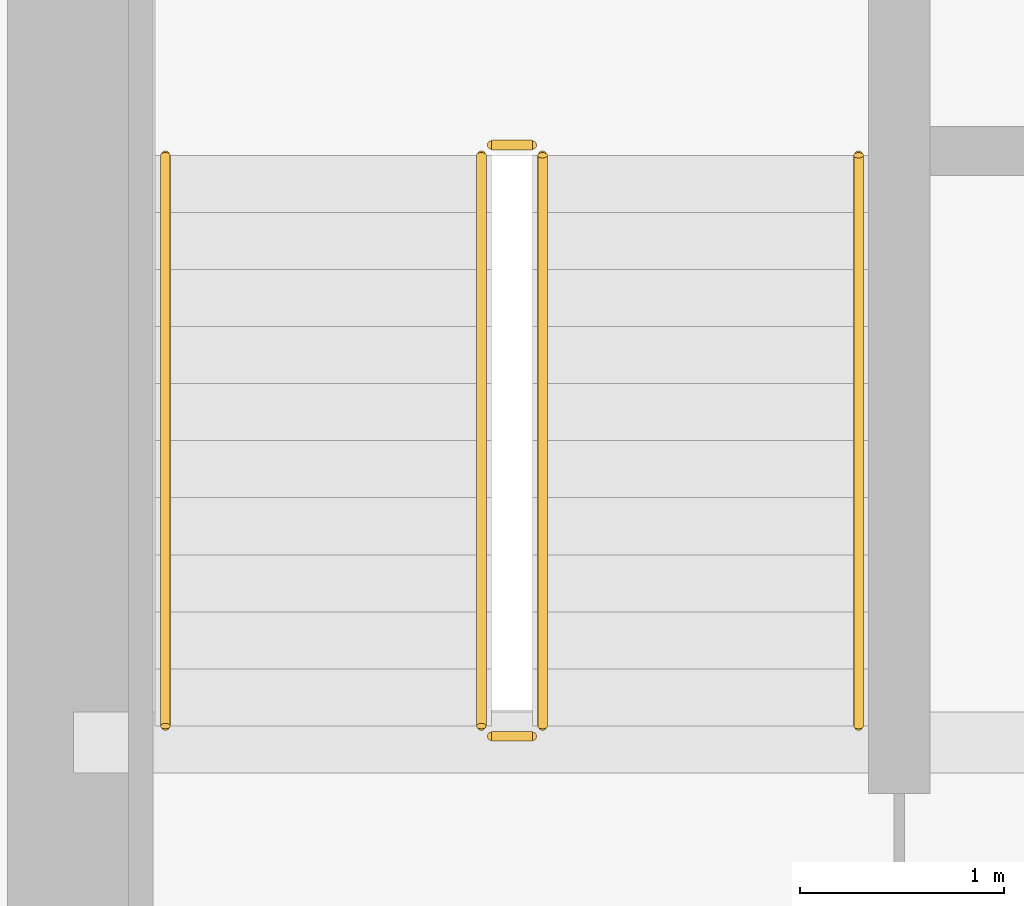
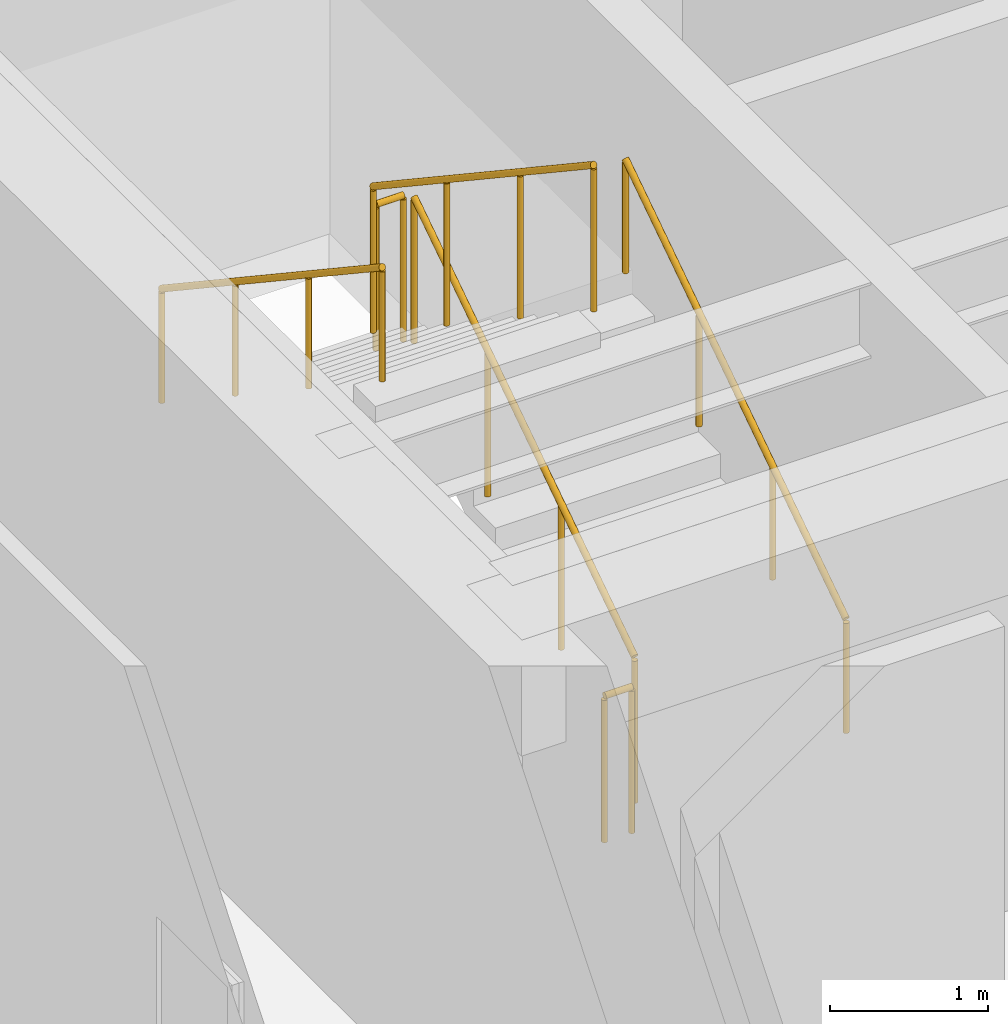
# One storey, part 29 of 30: 6 railings.
"""IFC4 building model written with IfcOpenShell, lengths in metres."""

import ifcopenshell
import ifcopenshell.guid

model = None  # the IFC model being written
_history = None  # IfcOwnerHistory: only IFC2X3 demands one
_inside = {}  # id of a spatial element -> (the spatial element, [elements in it])
_under = {}  # id of a project, library or spatial element -> (it, [spatial elements below it])
_declared = {}  # id of a project -> (the project, [libraries it declares])
_typed = {}  # id of a type object -> (the type object, [elements of that type])
_made_of = {}  # id of a material, layer set ... -> (it, [elements and type objects made of it])


def new_model(schema):
    """Start an empty IFC model of exactly this schema.

    Asked for "IFC4X3", IfcOpenShell would pick the latest addendum, in which some entities
    have other attributes; the version numbers below select the first issue.
    IFC2X3 requires an IfcOwnerHistory on every rooted entity: one is made here for all.
    """
    global model, _history
    if schema == "IFC4X3":
        model = ifcopenshell.file(schema_version=(4, 3, 0, 0))
    else:
        model = ifcopenshell.file(schema=schema)
    _inside.clear()
    _under.clear()
    _declared.clear()
    _typed.clear()
    _made_of.clear()
    _history = None
    if model.schema == "IFC2X3":
        org = make("IfcOrganization", Name="unknown")
        user = make(
            "IfcPersonAndOrganization",
            ThePerson=make("IfcPerson", FamilyName="unknown"),
            TheOrganization=org,
        )
        app = make(
            "IfcApplication",
            ApplicationDeveloper=org,
            Version="unknown",
            ApplicationFullName="unknown",
            ApplicationIdentifier="unknown",
        )
        _history = make(
            "IfcOwnerHistory",
            OwningUser=user,
            OwningApplication=app,
            ChangeAction="ADDED",
            CreationDate=0,
        )
    return model


def make(cls, **values):
    """One entity of the class cls with the attributes given. An attribute that is None is left unset."""
    return model.create_entity(
        cls, **{name: value for name, value in values.items() if value is not None}
    )


def rooted(cls, **values):
    """An entity with a GlobalId (a new one), such as an element, a storey or a relation."""
    return make(cls, GlobalId=ifcopenshell.guid.new(), OwnerHistory=_history, **values)


def si_unit(unit_type, name, prefix=None):
    """IfcSIUnit, for example si_unit("LENGTHUNIT", "METRE", prefix="MILLI")."""
    return make("IfcSIUnit", UnitType=unit_type, Prefix=prefix, Name=name)


def assignment(units):
    """IfcUnitAssignment: the units of a project."""
    return None if units is None else make("IfcUnitAssignment", Units=units)


def point(xyz):
    """IfcCartesianPoint."""
    return None if xyz is None else make("IfcCartesianPoint", Coordinates=xyz)


def direction(xyz):
    """IfcDirection."""
    return None if xyz is None else make("IfcDirection", DirectionRatios=xyz)


def frame(location, z_axis=None, x_axis=None):
    """IfcAxis2Placement3D, a coordinate frame: its origin and axes. An axis left out is left unset."""
    return make(
        "IfcAxis2Placement3D",
        Location=point(location),
        Axis=direction(z_axis),
        RefDirection=direction(x_axis),
    )


def frame_2d(location, x_axis=None):
    """IfcAxis2Placement2D, a coordinate frame in the plane: its origin and x axis."""
    return make(
        "IfcAxis2Placement2D", Location=point(location), RefDirection=direction(x_axis)
    )


def origin():
    """The frame at (0, 0, 0) with its axes left unset."""
    return frame((0.0, 0.0, 0.0))


def origin_2d():
    """The frame at (0, 0) in the plane with its x axis left unset."""
    return frame_2d((0.0, 0.0))


def place(relative_to, where):
    """IfcLocalPlacement: puts the frame where relative to a parent placement (None: the world)."""
    return make(
        "IfcLocalPlacement", PlacementRelTo=relative_to, RelativePlacement=where
    )


def context(
    kind, dimensions, precision=None, world=None, true_north=None, identifier=None
):
    """IfcGeometricRepresentationContext, for example the 3D "Model" context."""
    return make(
        "IfcGeometricRepresentationContext",
        ContextIdentifier=identifier,
        ContextType=kind,
        CoordinateSpaceDimension=dimensions,
        Precision=precision,
        WorldCoordinateSystem=world,
        TrueNorth=true_north,
    )


def subcontext(parent, identifier, kind, view, scale=None):
    """IfcGeometricRepresentationSubContext, for example "Body" below "Model"."""
    return make(
        "IfcGeometricRepresentationSubContext",
        ContextIdentifier=identifier,
        ContextType=kind,
        ParentContext=parent,
        TargetScale=scale,
        TargetView=view,
    )


def project(units=None, contexts=None):
    """IfcProject with its units and contexts."""
    return rooted(
        "IfcProject",
        Name="project",
        RepresentationContexts=contexts,
        UnitsInContext=assignment(units),
    )


def spatial(cls, under=None, at=None, **own):
    """A site, building, storey or space (cls), placed at a placement, below another one or the project."""
    s = rooted(cls, ObjectPlacement=at, **own)
    if under is not None:
        _under.setdefault(under.id(), (under, []))[1].append(s)
    return s


def profile(cls, at=None, kind="AREA", **sizes):
    """A parametric profile (cls). Its sizes go by their IFC names, for example OverallWidth=200.0."""
    return make(cls, ProfileType=kind, Position=at, **sizes)


def circle(**sizes):
    """IfcCircleProfileDef."""
    return profile("IfcCircleProfileDef", **sizes)


def extrude(swept, where, along, depth):
    """IfcExtrudedAreaSolid: the profile swept, set in the frame where, extruded along a direction by depth."""
    return make(
        "IfcExtrudedAreaSolid",
        SweptArea=swept,
        Position=where,
        ExtrudedDirection=direction(along),
        Depth=depth,
    )


def shape(context_of_items, identifier, shape_type, items):
    """IfcShapeRepresentation: the items that make up one representation, for example the "Body"."""
    return make(
        "IfcShapeRepresentation",
        ContextOfItems=context_of_items,
        RepresentationIdentifier=identifier,
        RepresentationType=shape_type,
        Items=items,
    )


def source(mapping_origin, context_of_items, identifier, shape_type, items):
    """IfcRepresentationMap: a shape defined once, which mapped items show again and again."""
    return make(
        "IfcRepresentationMap",
        MappingOrigin=mapping_origin,
        MappedRepresentation=shape(context_of_items, identifier, shape_type, items),
    )


def transform(
    local_origin,
    x_axis=None,
    y_axis=None,
    z_axis=None,
    scale=None,
    scale2=None,
    scale3=None,
    uniform=True,
):
    """IfcCartesianTransformationOperator3D, or its non-uniform kind. x_axis, y_axis, z_axis: its Axis1, 2, 3."""
    if uniform:
        return make(
            "IfcCartesianTransformationOperator3D",
            Axis1=direction(x_axis),
            Axis2=direction(y_axis),
            LocalOrigin=point(local_origin),
            Scale=scale,
            Axis3=direction(z_axis),
        )
    return make(
        "IfcCartesianTransformationOperator3DnonUniform",
        Axis1=direction(x_axis),
        Axis2=direction(y_axis),
        LocalOrigin=point(local_origin),
        Scale=scale,
        Axis3=direction(z_axis),
        Scale2=scale2,
        Scale3=scale3,
    )


def mapped(mapping_source, mapping_target):
    """IfcMappedItem: shows the shape of a source again, moved by a transform."""
    return make(
        "IfcMappedItem", MappingSource=mapping_source, MappingTarget=mapping_target
    )


def material(Name=None, Category=None):
    """IfcMaterial."""
    return make("IfcMaterial", Name=Name, Category=Category)


def made_of(thing, what):
    """Note that an element or type object is made of a material, layer set ...; save() writes the relation."""
    if what is not None:
        _made_of.setdefault(what.id(), (what, []))[1].append(thing)
    return thing


def type_object(cls, material=None, **own):
    """A type object (cls), such as IfcWallType, which elements share."""
    return made_of(rooted(cls, **own), material)


def type_shapes(of_type, sources):
    """Give a type object the sources (RepresentationMaps) that its elements show as mapped items."""
    of_type.RepresentationMaps = sources


def element(
    cls,
    number,
    at=None,
    inside=None,
    cuts=None,
    type_object=None,
    material=None,
    context=None,
    identifier="Body",
    shape_type=None,
    held_by="IfcProductDefinitionShape",
    body=None,
    shapes=None,
    **own,
):
    """One element of the class cls, such as IfcWall. Its Tag is "e" and its number.

    at: its placement. inside: the storey or other place that contains it. cuts: it is an
    opening in that element (IfcRelVoidsElement). A single representation is given by context,
    identifier, shape_type and body (its items); several are given by shapes. held_by: the class
    of the entity that holds the representations. save() writes the other relations.
    """
    e = rooted(cls, Tag="e%d" % number, ObjectPlacement=at, **own)
    if body is not None:
        shapes = [shape(context, identifier, shape_type, body)]
    if shapes is not None:
        e.Representation = make(held_by, Representations=shapes)
    if inside is not None:
        _inside.setdefault(inside.id(), (inside, []))[1].append(e)
    if cuts is not None:
        rooted(
            "IfcRelVoidsElement", RelatingBuildingElement=cuts, RelatedOpeningElement=e
        )
    if type_object is not None:
        _typed.setdefault(type_object.id(), (type_object, []))[1].append(e)
    return made_of(e, material)


def aggregate(whole, parts):
    """IfcRelAggregates: a whole, such as a stair, and the parts it consists of."""
    return rooted("IfcRelAggregates", RelatingObject=whole, RelatedObjects=parts)


def save(model, path):
    """Write the relations noted so far, then the file.

    IfcRelAggregates (storeys below a building ...), IfcRelContainedInSpatialStructure (elements
    in a storey), IfcRelDefinesByType, IfcRelAssociatesMaterial and IfcRelDeclares: one each for
    every whole, place, type object, material and project.
    """
    for whole, parts in _under.values():
        aggregate(whole, parts)
    for where, things in _inside.values():
        rooted(
            "IfcRelContainedInSpatialStructure",
            RelatedElements=things,
            RelatingStructure=where,
        )
    for kind, things in _typed.values():
        rooted("IfcRelDefinesByType", RelatedObjects=things, RelatingType=kind)
    for what, things in _made_of.values():
        rooted("IfcRelAssociatesMaterial", RelatedObjects=things, RelatingMaterial=what)
    for by, libraries in _declared.values():
        rooted("IfcRelDeclares", RelatingContext=by, RelatedDefinitions=libraries)
    model.write(path)


model = new_model("IFC4")

# Units and contexts
model_context = context("Model", 3, precision=1e-05, world=origin(), true_north=direction((0.0, 1.0)))
body_context = subcontext(model_context, "Body", "Model", "MODEL_VIEW")
ifc_project = project(units=[si_unit("LENGTHUNIT", "METRE"), si_unit("AREAUNIT", "SQUARE_METRE"), si_unit("VOLUMEUNIT", "CUBIC_METRE"), si_unit("PLANEANGLEUNIT", "RADIAN"), si_unit("MASSUNIT", "GRAM", prefix="KILO")], contexts=[model_context])

# Site, building, storey
site_placement = place(None, origin())
site = spatial("IfcSite", under=ifc_project, at=site_placement, CompositionType="ELEMENT")
building_placement = place(site_placement, origin())
building = spatial("IfcBuilding", under=site, at=building_placement, Name="Haelvirn Gate Laboratories", CompositionType="ELEMENT")
storey_placement = place(building_placement, frame((0.0, 0.0, 121.5)))
storey = spatial("IfcBuildingStorey", under=building, at=storey_placement, Name="L29", CompositionType="ELEMENT", Elevation=121.5)

# Railings
ifc_material_1 = material(Name="Galvanised steel SM355 & stainless top rail", Category="steel")
railing_type_1 = type_object("IfcRailingType", Name="RL-GUARD-1150", PredefinedType="GUARDRAIL", material=ifc_material_1)
shared_shape_1 = source(origin(), body_context, "Body", "SweptSolid", [
    extrude(circle(Radius=0.02392578125, at=origin_2d()), frame((0.0, 0.0, 1.1259765625), z_axis=(-1.0, 0.0, 0.0), x_axis=(0.0, -1.0, 0.0)), (0.0, 0.0, 1.0), 0.199951171875),
    extrude(circle(Radius=0.02099609375, at=origin_2d()), origin(), (0.0, 0.0, 1.0), 1.101806640625),
    extrude(circle(Radius=0.02099609375, at=origin_2d()), frame((-0.199951171875, 0.0, 0.0)), (0.0, 0.0, 1.0), 1.101806640625),
])
for number, where, name in (
    (1, (9.64990234375, 29.550048828125, 2.050048828125), "L29 ST1 stair guard 2"),
    (2, (9.64990234375, 26.64990234375, 0.0), "L29 ST1 stair guard 4"),
):
    element("IfcRailing", number, at=place(storey_placement, frame(where)), inside=storey, type_object=railing_type_1, Name=name, PredefinedType="GUARDRAIL", context=body_context, shape_type="MappedRepresentation", body=[
        mapped(shared_shape_1, transform((0.0, 0.0, 0.0), scale=1.0)),
    ])
shared_shape_2 = source(origin(), body_context, "Body", "SweptSolid", [
    extrude(circle(Radius=0.02392578125, at=origin_2d()), frame((0.0, 0.0, 1.1259765625), z_axis=(0.0, -0.832452072856, 0.554097055034), x_axis=(1.0, 0.0, 0.0)), (0.0, 0.0, 1.0), 3.363525390625),
    extrude(circle(Radius=0.02099609375, at=origin_2d()), origin(), (0.0, 0.0, 1.0), 1.101806640625),
    extrude(circle(Radius=0.02099609375, at=origin_2d()), frame((0.0, -0.933349609375, 0.621337890625)), (0.0, 0.0, 1.0), 1.101806640625),
    extrude(circle(Radius=0.02099609375, at=origin_2d()), frame((0.0, -1.86669921875, 1.242431640625)), (0.0, 0.0, 1.0), 1.101806640625),
    extrude(circle(Radius=0.02099609375, at=origin_2d()), frame((0.0, -2.800048828125, 1.86376953125)), (0.0, 0.0, 1.0), 1.101806640625),
])
railing_1_placement = place(storey_placement, frame((9.39990234375, 29.5, 2.236328125)))
element("IfcRailing", 3, at=railing_1_placement, inside=storey, type_object=railing_type_1, Name="L29 ST1 stair guard 3", PredefinedType="GUARDRAIL", context=body_context, shape_type="MappedRepresentation", body=[
    mapped(shared_shape_2, transform((0.0, 0.0, 0.0), scale=1.0)),
])
ifc_material_2 = material(Name="Brushed stainless steel 316L", Category="steel")
railing_type_2 = type_object("IfcRailingType", Name="RL-HAND-920", PredefinedType="HANDRAIL", material=ifc_material_2)
shared_shape_3 = source(origin(), body_context, "Body", "SweptSolid", [
    extrude(circle(Radius=0.02392578125, at=origin_2d()), frame((0.0, 0.0, 0.8759765625), z_axis=(0.0, -0.832452072856, 0.554097055034), x_axis=(1.0, 0.0, 0.0)), (0.0, 0.0, 1.0), 3.363525390625),
    extrude(circle(Radius=0.02099609375, at=origin_2d()), origin(), (0.0, 0.0, 1.0), 0.851806640625),
    extrude(circle(Radius=0.02099609375, at=origin_2d()), frame((0.0, -0.933349609375, 0.621337890625)), (0.0, 0.0, 1.0), 0.851806640625),
    extrude(circle(Radius=0.02099609375, at=origin_2d()), frame((0.0, -1.86669921875, 1.242431640625)), (0.0, 0.0, 1.0), 0.851806640625),
    extrude(circle(Radius=0.02099609375, at=origin_2d()), frame((0.0, -2.800048828125, 1.86376953125)), (0.0, 0.0, 1.0), 0.851806640625),
])
railing_2_placement = place(storey_placement, frame((7.85009765625, 29.5, 2.236328125)))
element("IfcRailing", 4, at=railing_2_placement, inside=storey, type_object=railing_type_2, Name="L29 ST1 stair handrail 2", PredefinedType="HANDRAIL", context=body_context, shape_type="MappedRepresentation", body=[
    mapped(shared_shape_3, transform((0.0, 0.0, 0.0), scale=1.0)),
])
shared_shape_4 = source(origin(), body_context, "Body", "SweptSolid", [
    extrude(circle(Radius=0.02392578125, at=origin_2d()), frame((0.0, 0.0, 1.1259765625), z_axis=(0.0, 0.832452072856, 0.554097055034), x_axis=(-1.0, 0.0, 0.0)), (0.0, 0.0, 1.0), 3.363525390625),
    extrude(circle(Radius=0.02099609375, at=origin_2d()), origin(), (0.0, 0.0, 1.0), 1.101806640625),
    extrude(circle(Radius=0.02099609375, at=origin_2d()), frame((0.0, 0.933349609375, 0.621337890625)), (0.0, 0.0, 1.0), 1.101806640625),
    extrude(circle(Radius=0.02099609375, at=origin_2d()), frame((0.0, 1.86669921875, 1.242431640625)), (0.0, 0.0, 1.0), 1.101806640625),
    extrude(circle(Radius=0.02099609375, at=origin_2d()), frame((0.0, 2.800048828125, 1.86376953125)), (0.0, 0.0, 1.0), 1.101806640625),
])
type_shapes(railing_type_1, [shared_shape_1, shared_shape_2, shared_shape_4])
railing_3_placement = place(storey_placement, frame((9.699951171875, 26.699951171875, 0.186279296875)))
element("IfcRailing", 5, at=railing_3_placement, inside=storey, type_object=railing_type_1, Name="L29 ST1 stair guard 1", PredefinedType="GUARDRAIL", context=body_context, shape_type="MappedRepresentation", body=[
    mapped(shared_shape_4, transform((0.0, 0.0, 0.0), scale=1.0)),
])
shared_shape_5 = source(origin(), body_context, "Body", "SweptSolid", [
    extrude(circle(Radius=0.02392578125, at=origin_2d()), frame((0.0, 0.0, 0.8759765625), z_axis=(0.0, 0.832452072856, 0.554097055034), x_axis=(-1.0, 0.0, 0.0)), (0.0, 0.0, 1.0), 3.363525390625),
    extrude(circle(Radius=0.02099609375, at=origin_2d()), origin(), (0.0, 0.0, 1.0), 0.851806640625),
    extrude(circle(Radius=0.02099609375, at=origin_2d()), frame((0.0, 0.933349609375, 0.621337890625)), (0.0, 0.0, 1.0), 0.851806640625),
    extrude(circle(Radius=0.02099609375, at=origin_2d()), frame((0.0, 1.86669921875, 1.242431640625)), (0.0, 0.0, 1.0), 0.851806640625),
    extrude(circle(Radius=0.02099609375, at=origin_2d()), frame((0.0, 2.800048828125, 1.86376953125)), (0.0, 0.0, 1.0), 0.851806640625),
])
type_shapes(railing_type_2, [shared_shape_3, shared_shape_5])
railing_4_placement = place(storey_placement, frame((11.25, 26.699951171875, 0.186279296875)))
element("IfcRailing", 6, at=railing_4_placement, inside=storey, type_object=railing_type_2, Name="L29 ST1 stair handrail 1", PredefinedType="HANDRAIL", context=body_context, shape_type="MappedRepresentation", body=[
    mapped(shared_shape_5, transform((0.0, 0.0, 0.0), scale=1.0)),
])

save(model, "model.ifc")
